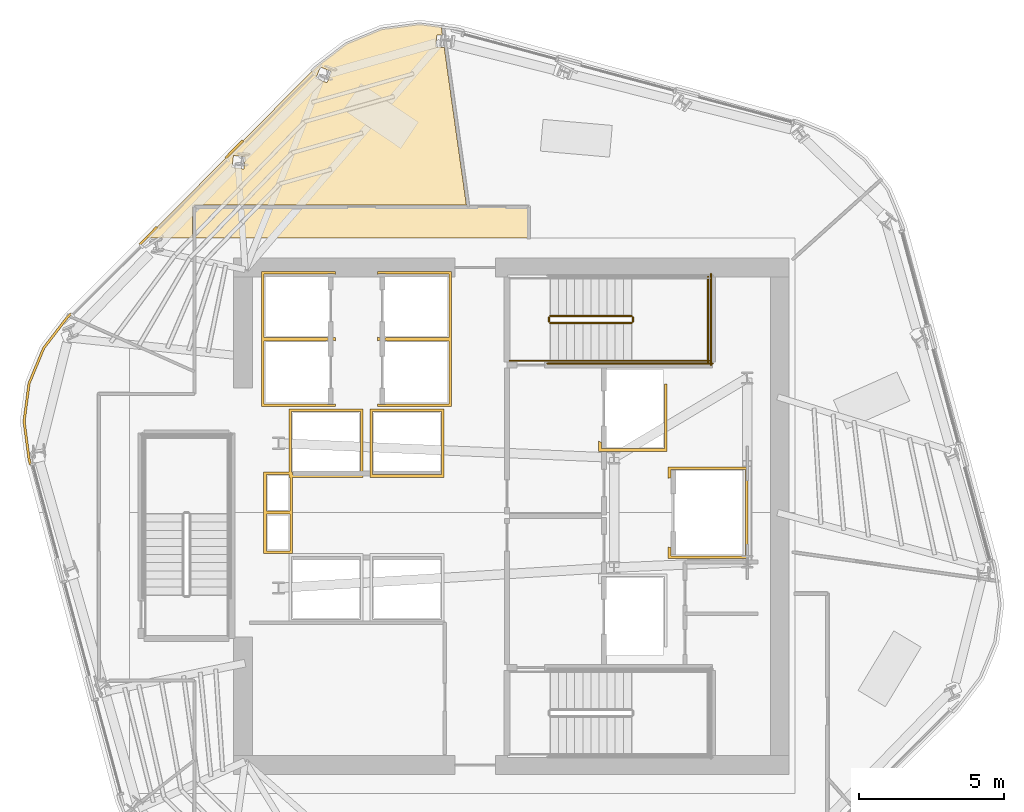
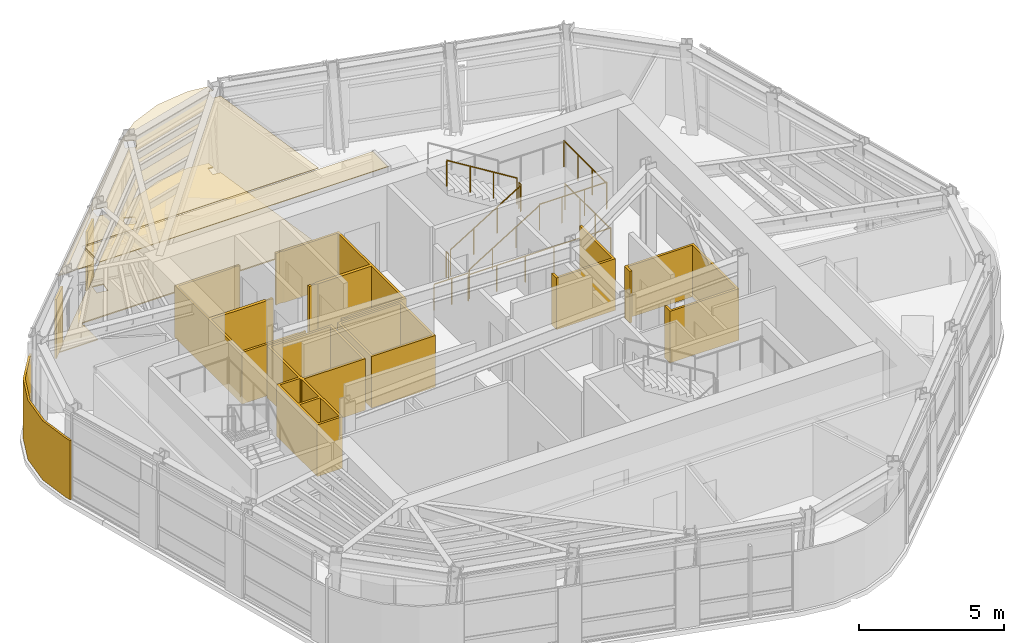
# One storey, part 11 of 13: 12 coverings, 10 railings.
"""IFC4 building model written with IfcOpenShell, lengths in metres."""

from ifc_helpers import new_model, si_unit, direction, frame, origin, origin_2d, place, context, subcontext, project, spatial, polyline, circle, outline, extrude, material, layer, layer_set, type_object, element, save


model = new_model("IFC4")

# Units and contexts
model_context = context("Model", 3, precision=1e-05, world=origin(), true_north=direction((0.0, 1.0)))
body_context = subcontext(model_context, "Body", "Model", "MODEL_VIEW")
ifc_project = project(units=[si_unit("LENGTHUNIT", "METRE"), si_unit("AREAUNIT", "SQUARE_METRE"), si_unit("VOLUMEUNIT", "CUBIC_METRE"), si_unit("PLANEANGLEUNIT", "RADIAN"), si_unit("MASSUNIT", "GRAM", prefix="KILO")], contexts=[model_context])

# Site, building, storey
site_placement = place(None, origin())
site = spatial("IfcSite", under=ifc_project, at=site_placement, CompositionType="ELEMENT")
building_placement = place(site_placement, origin())
building = spatial("IfcBuilding", under=site, at=building_placement, Name="Valkerne Bourse Tower", CompositionType="ELEMENT")
storey_placement = place(building_placement, frame((0.0, 0.0, 217.0)))
storey = spatial("IfcBuildingStorey", under=building, at=storey_placement, Name="L55", CompositionType="ELEMENT", Elevation=217.0)

# Coverings
ifc_material_1 = material(Name="Mineral Fiber Acoustic Ceiling Tile", Category="acoustic")
ifc_layer_1 = layer(ifc_material_1, 0.02490234375)
ifc_layer_set_1 = layer_set([ifc_layer_1], Name="Mineral Fiber Acoustic Ceiling Tile")
covering_type_1 = type_object("IfcCoveringType", Name="COV-CEIL-ACT", PredefinedType="CEILING", material=ifc_layer_set_1)
covering_1_placement = place(storey_placement, frame((0.0, 0.0, 3.25)))
element("IfcCovering", 1, at=covering_1_placement, inside=storey, type_object=covering_type_1, Name="L55 Suspended Ceiling 09", PredefinedType="CEILING", context=body_context, shape_type="SweptSolid", body=[
    extrude(outline(polyline([(42.3232421875, 43.70751953125), (43.631591796875, 43.8798828125), (44.382080078125, 43.781005859375), (44.422607421875, 43.491455078125), (44.231689453125, 43.514892578125), (44.229248046875, 43.514404296875), (44.179443359375, 43.105712890625), (44.482177734375, 43.068603515625), (45.24658203125, 37.62890625), (35.849609375, 37.62890625), (35.81494140625, 37.61962890625), (35.790283203125, 37.59521484375), (35.781005859375, 37.560546875), (35.781005859375, 36.5), (34.195068359375, 36.5), (40.0498046875, 42.393798828125), (41.10400390625, 43.20263671875), (42.3232421875, 43.70751953125)]), holes=[polyline([(37.555908203125, 38.87841796875), (37.609130859375, 39.2890625), (37.201171875, 39.3427734375), (37.199462890625, 39.34130859375), (37.146240234375, 38.930908203125), (37.55419921875, 38.877197265625), (37.555908203125, 38.87841796875)]), polyline([(40.42919921875, 41.859130859375), (40.584716796875, 42.24267578125), (40.203857421875, 42.398193359375), (40.20166015625, 42.397216796875), (40.046142578125, 42.013671875), (40.427001953125, 41.858154296875), (40.42919921875, 41.859130859375)])]), origin(), (0.0, 0.0, 1.0), 0.02490234375),
])
ifc_material_2 = material(Name="Bronze Anodised Aluminium AA 6063-T6", Category="aluminium")
ifc_layer_2 = layer(ifc_material_2, 0.030029296875)
ifc_layer_set_2 = layer_set([ifc_layer_2], Name="Bronze Anodised Aluminium AA 6063-T6")
covering_type_2 = type_object("IfcCoveringType", Name="COV-CEIL-METAL", PredefinedType="CEILING", material=ifc_layer_set_2)
covering_2_placement = place(storey_placement, frame((0.0, 0.0, 3.25)))
element("IfcCovering", 2, at=covering_2_placement, inside=storey, type_object=covering_type_2, Name="L55 Suspended Ceiling 03", PredefinedType="CEILING", context=body_context, shape_type="SweptSolid", body=[
    extrude(outline(polyline([(35.85400390625, 37.555908203125), (47.39599609375, 37.555908203125), (47.39599609375, 36.5), (35.85400390625, 36.5), (35.85400390625, 37.555908203125)])), origin(), (0.0, 0.0, 1.0), 0.02490234375),
])
ifc_layer_3 = layer(ifc_material_2, 0.06005859375)
ifc_layer_set_3 = layer_set([ifc_layer_3], Name="Bronze Anodised Aluminium AA 6063-T6")
covering_type_3 = type_object("IfcCoveringType", Name="COV-CRN-ALUM", PredefinedType="CLADDING", material=ifc_layer_set_3)
covering_3_placement = place(storey_placement, origin())
element("IfcCovering", 3, at=covering_3_placement, inside=storey, type_object=covering_type_3, Name="L55 Wind-Shaped Corner Aluminium Cladding 10", PredefinedType="CLADDING", context=body_context, shape_type="SweptSolid", body=[
    extrude(outline(polyline([(30.095458984375, 28.830078125), (29.9208984375, 30.156494140625), (30.094482421875, 31.476318359375), (30.60400390625, 32.7060546875), (31.41845703125, 33.767578125), (31.554443359375, 33.904541015625), (31.611083984375, 33.847900390625), (31.478759765625, 33.714599609375), (30.673828125, 32.66552734375), (30.172607421875, 31.455322265625), (30.001708984375, 30.156494140625), (30.17431640625, 28.845458984375), (30.22216796875, 28.6640625), (30.14501953125, 28.643310546875), (30.095458984375, 28.830078125)])), origin(), (0.0, 0.0, 1.0), 2.5),
])
covering_4_placement = place(storey_placement, origin())
element("IfcCovering", 4, at=covering_4_placement, inside=storey, type_object=covering_type_3, Name="L55 Wind-Shaped Corner Aluminium Cladding 11", PredefinedType="CLADDING", context=body_context, shape_type="SweptSolid", body=[
    extrude(outline(polyline([(34.52294921875, 36.892578125), (34.57958984375, 36.836181640625), (33.987548828125, 36.239990234375), (33.930908203125, 36.296630859375), (34.52294921875, 36.892578125)])), origin(), (0.0, 0.0, 1.0), 2.5),
])
covering_5_placement = place(storey_placement, origin())
element("IfcCovering", 5, at=covering_5_placement, inside=storey, type_object=covering_type_3, Name="L55 Wind-Shaped Corner Aluminium Cladding 12", PredefinedType="CLADDING", context=body_context, shape_type="SweptSolid", body=[
    extrude(outline(polyline([(37.491455078125, 39.880859375), (37.548095703125, 39.82421875), (36.9560546875, 39.228271484375), (36.8994140625, 39.284912109375), (37.491455078125, 39.880859375)])), origin(), (0.0, 0.0, 1.0), 2.5),
])
ifc_material_3 = material(Name="Galvanised Painted Steel", Category="steel")
ifc_layer_4 = layer(ifc_material_3, 0.044921875)
ifc_layer_set_4 = layer_set([ifc_layer_4], Name="Galvanised Painted Steel")
covering_type_4 = type_object("IfcCoveringType", Name="COV-FLR-RAF", PredefinedType="FLOORING", material=ifc_layer_set_4)
covering_6_placement = place(storey_placement, origin())
element("IfcCovering", 6, at=covering_6_placement, inside=storey, type_object=covering_type_4, Name="L55 Floor Finish 09", PredefinedType="FLOORING", context=body_context, shape_type="SweptSolid", body=[
    extrude(outline(polyline([(42.3232421875, 43.70751953125), (43.631591796875, 43.8798828125), (44.382080078125, 43.781005859375), (44.422607421875, 43.491455078125), (44.231689453125, 43.514892578125), (44.229248046875, 43.514404296875), (44.179443359375, 43.105712890625), (44.482177734375, 43.068603515625), (45.24658203125, 37.62890625), (35.849609375, 37.62890625), (35.81494140625, 37.61962890625), (35.790283203125, 37.59521484375), (35.781005859375, 37.560546875), (35.781005859375, 36.5), (34.195068359375, 36.5), (40.0498046875, 42.393798828125), (41.10400390625, 43.20263671875), (42.3232421875, 43.70751953125)]), holes=[polyline([(37.555908203125, 38.87841796875), (37.609130859375, 39.2890625), (37.201171875, 39.3427734375), (37.199462890625, 39.34130859375), (37.146240234375, 38.930908203125), (37.55419921875, 38.877197265625), (37.555908203125, 38.87841796875)]), polyline([(40.42919921875, 41.859130859375), (40.584716796875, 42.24267578125), (40.203857421875, 42.398193359375), (40.20166015625, 42.397216796875), (40.046142578125, 42.013671875), (40.427001953125, 41.858154296875), (40.42919921875, 41.859130859375)])]), origin(), (0.0, 0.0, 1.0), 0.044921875),
])
ifc_material_4 = material(Name="Gypsum Shaftwall Liner Board", Category="gypsum")
ifc_layer_5 = layer(ifc_material_4, 0.080078125)
ifc_layer_set_5 = layer_set([ifc_layer_5], Name="Gypsum Shaftwall Liner Board")
covering_type_5 = type_object("IfcCoveringType", Name="COV-SHF-CLAD", PredefinedType="CLADDING", material=ifc_layer_set_5)
covering_7_placement = place(storey_placement, origin())
element("IfcCovering", 7, at=covering_7_placement, inside=storey, type_object=covering_type_5, Name="L55 Hoistway & Riser Shaftwall Liner 03", PredefinedType="CLADDING", context=body_context, shape_type="SweptSolid", body=[
    extrude(outline(polyline([(38.239990234375, 28.409912109375), (39.1201171875, 28.409912109375), (39.1201171875, 30.580078125), (41.679931640625, 30.580078125), (41.679931640625, 28.219970703125), (39.239990234375, 28.219970703125), (39.239990234375, 27.0400390625), (39.239990234375, 26.9599609375), (39.239990234375, 25.590087890625), (38.239990234375, 25.590087890625), (38.239990234375, 26.9599609375), (38.239990234375, 27.0400390625), (38.239990234375, 28.409912109375)]), holes=[polyline([(38.330078125, 26.949951171875), (38.330078125, 25.679931640625), (39.14990234375, 25.679931640625), (39.14990234375, 26.949951171875), (38.330078125, 26.949951171875)]), polyline([(39.2099609375, 30.489990234375), (39.2099609375, 28.409912109375), (39.239990234375, 28.409912109375), (39.239990234375, 28.31005859375), (41.590087890625, 28.31005859375), (41.590087890625, 30.489990234375), (39.2099609375, 30.489990234375)]), polyline([(38.330078125, 27.050048828125), (39.14990234375, 27.050048828125), (39.14990234375, 28.219970703125), (39.1201171875, 28.219970703125), (39.1201171875, 28.320068359375), (38.330078125, 28.320068359375), (38.330078125, 27.050048828125)])]), origin(), (0.0, 0.0, 1.0), 2.179931640625),
])
covering_8_placement = place(storey_placement, origin())
element("IfcCovering", 8, at=covering_8_placement, inside=storey, type_object=covering_type_5, Name="L55 Hoistway & Riser Shaftwall Liner 04", PredefinedType="CLADDING", context=body_context, shape_type="SweptSolid", body=[
    extrude(outline(polyline([(38.169921875, 35.330078125), (40.72998046875, 35.330078125), (40.72998046875, 35.232177734375), (40.72216796875, 35.235595703125), (40.6806640625, 35.25048828125), (40.6376953125, 35.261474609375), (40.593994140625, 35.267822265625), (40.550048828125, 35.27001953125), (40.505859375, 35.267822265625), (40.462158203125, 35.261474609375), (40.41943359375, 35.25048828125), (40.3896484375, 35.239990234375), (38.260009765625, 35.239990234375), (38.260009765625, 33.06005859375), (40.3896484375, 33.06005859375), (40.41943359375, 33.04931640625), (40.462158203125, 33.03857421875), (40.505859375, 33.0322265625), (40.550048828125, 33.030029296875), (40.593994140625, 33.0322265625), (40.6376953125, 33.03857421875), (40.6806640625, 33.04931640625), (40.72216796875, 33.064208984375), (40.72998046875, 33.06787109375), (40.72998046875, 33.030029296875), (40.72998046875, 32.969970703125), (40.72998046875, 32.93212890625), (40.72216796875, 32.935791015625), (40.6806640625, 32.95068359375), (40.6376953125, 32.96142578125), (40.593994140625, 32.9677734375), (40.550048828125, 32.969970703125), (40.505859375, 32.9677734375), (40.462158203125, 32.96142578125), (40.41943359375, 32.95068359375), (40.3896484375, 32.93994140625), (38.260009765625, 32.93994140625), (38.260009765625, 30.760009765625), (40.3896484375, 30.760009765625), (40.41943359375, 30.74951171875), (40.462158203125, 30.738525390625), (40.505859375, 30.732177734375), (40.550048828125, 30.72998046875), (40.593994140625, 30.732177734375), (40.6376953125, 30.738525390625), (40.6806640625, 30.74951171875), (40.72216796875, 30.764404296875), (40.72998046875, 30.767822265625), (40.72998046875, 30.669921875), (38.169921875, 30.669921875), (38.169921875, 32.969970703125), (38.169921875, 33.030029296875), (38.169921875, 35.330078125)])), origin(), (0.0, 0.0, 1.0), 2.179931640625),
])
covering_9_placement = place(storey_placement, origin())
element("IfcCovering", 9, at=covering_9_placement, inside=storey, type_object=covering_type_5, Name="L55 Hoistway & Riser Shaftwall Liner 06", PredefinedType="CLADDING", context=body_context, shape_type="SweptSolid", body=[
    extrude(outline(polyline([(54.97998046875, 25.419921875), (52.219970703125, 25.419921875), (52.219970703125, 25.81787109375), (52.227783203125, 25.814208984375), (52.269287109375, 25.79931640625), (52.31005859375, 25.789306640625), (52.31005859375, 25.510009765625), (54.889892578125, 25.510009765625), (54.889892578125, 28.489990234375), (52.31005859375, 28.489990234375), (52.31005859375, 28.210693359375), (52.269287109375, 28.20068359375), (52.227783203125, 28.185791015625), (52.219970703125, 28.18212890625), (52.219970703125, 28.580078125), (54.97998046875, 28.580078125), (54.97998046875, 25.419921875)])), origin(), (0.0, 0.0, 1.0), 2.179931640625),
])
covering_10_placement = place(storey_placement, origin())
element("IfcCovering", 10, at=covering_10_placement, inside=storey, type_object=covering_type_5, Name="L55 Hoistway & Riser Shaftwall Liner 07", PredefinedType="CLADDING", context=body_context, shape_type="SweptSolid", body=[
    extrude(outline(polyline([(44.47998046875, 28.219970703125), (41.919921875, 28.219970703125), (41.919921875, 30.580078125), (44.47998046875, 30.580078125), (44.47998046875, 28.219970703125)]), holes=[polyline([(42.010009765625, 30.489990234375), (42.010009765625, 28.31005859375), (44.389892578125, 28.31005859375), (44.389892578125, 30.489990234375), (42.010009765625, 30.489990234375)])]), origin(), (0.0, 0.0, 1.0), 2.179931640625),
])
covering_11_placement = place(storey_placement, origin())
element("IfcCovering", 11, at=covering_11_placement, inside=storey, type_object=covering_type_5, Name="L55 Hoistway & Riser Shaftwall Liner 08", PredefinedType="CLADDING", context=body_context, shape_type="SweptSolid", body=[
    extrude(outline(polyline([(49.820068359375, 29.1201171875), (49.820068359375, 29.468017578125), (49.827880859375, 29.46435546875), (49.869384765625, 29.449462890625), (49.909912109375, 29.439208984375), (49.909912109375, 29.2099609375), (52.090087890625, 29.2099609375), (52.090087890625, 31.449951171875), (52.179931640625, 31.449951171875), (52.179931640625, 29.1201171875), (49.820068359375, 29.1201171875)])), origin(), (0.0, 0.0, 1.0), 2.179931640625),
])
covering_12_placement = place(storey_placement, origin())
element("IfcCovering", 12, at=covering_12_placement, inside=storey, type_object=covering_type_5, Name="L55 Hoistway & Riser Shaftwall Liner 09", PredefinedType="CLADDING", context=body_context, shape_type="SweptSolid", body=[
    extrude(outline(polyline([(42.169921875, 33.06787109375), (42.177734375, 33.064208984375), (42.219482421875, 33.04931640625), (42.26220703125, 33.03857421875), (42.305908203125, 33.0322265625), (42.35009765625, 33.030029296875), (42.39404296875, 33.0322265625), (42.437744140625, 33.03857421875), (42.480712890625, 33.04931640625), (42.51025390625, 33.06005859375), (44.639892578125, 33.06005859375), (44.639892578125, 35.239990234375), (42.51025390625, 35.239990234375), (42.480712890625, 35.25048828125), (42.437744140625, 35.261474609375), (42.39404296875, 35.267822265625), (42.35009765625, 35.27001953125), (42.305908203125, 35.267822265625), (42.26220703125, 35.261474609375), (42.219482421875, 35.25048828125), (42.177734375, 35.235595703125), (42.169921875, 35.232177734375), (42.169921875, 35.330078125), (44.72998046875, 35.330078125), (44.72998046875, 33.030029296875), (44.72998046875, 32.969970703125), (44.72998046875, 30.669921875), (42.169921875, 30.669921875), (42.169921875, 30.767822265625), (42.177734375, 30.764404296875), (42.219482421875, 30.74951171875), (42.26220703125, 30.738525390625), (42.305908203125, 30.732177734375), (42.35009765625, 30.72998046875), (42.39404296875, 30.732177734375), (42.437744140625, 30.738525390625), (42.480712890625, 30.74951171875), (42.51025390625, 30.760009765625), (44.639892578125, 30.760009765625), (44.639892578125, 32.93994140625), (42.51025390625, 32.93994140625), (42.480712890625, 32.95068359375), (42.437744140625, 32.96142578125), (42.39404296875, 32.9677734375), (42.35009765625, 32.969970703125), (42.305908203125, 32.9677734375), (42.26220703125, 32.96142578125), (42.219482421875, 32.95068359375), (42.177734375, 32.935791015625), (42.169921875, 32.93212890625), (42.169921875, 32.969970703125), (42.169921875, 33.030029296875), (42.169921875, 33.06787109375)])), origin(), (0.0, 0.0, 1.0), 2.179931640625),
])

# Railings
railing_type_1 = type_object("IfcRailingType", Name="RLG-ST-GUARD-1120", PredefinedType="GUARDRAIL", material=ifc_material_3)
railing_1_placement = place(storey_placement, frame((48.14990234375, 33.550048828125, 0.172607421875)))
element("IfcRailing", 13, at=railing_1_placement, inside=storey, type_object=railing_type_1, Name="L55 ST-2 stair guard 1", PredefinedType="GUARDRAIL", context=body_context, shape_type="SweptSolid", body=[
    extrude(circle(Radius=0.02392578125, at=origin_2d()), frame((0.0, 0.0, 1.09619140625), z_axis=(0.851089632645, 0.0, 0.525020415988), x_axis=(0.0, 1.0, 0.0)), (0.0, 0.0, 1.0), 3.2900390625),
    extrude(circle(Radius=0.02099609375, at=origin_2d()), origin(), (0.0, 0.0, 1.0), 1.072021484375),
    extrude(circle(Radius=0.02099609375, at=origin_2d()), frame((0.933349609375, 0.0, 0.57568359375)), (0.0, 0.0, 1.0), 1.072021484375),
    extrude(circle(Radius=0.02099609375, at=origin_2d()), frame((1.86669921875, 0.0, 1.151611328125)), (0.0, 0.0, 1.0), 1.072021484375),
    extrude(circle(Radius=0.02099609375, at=origin_2d()), frame((2.800048828125, 0.0, 1.727294921875)), (0.0, 0.0, 1.0), 1.072021484375),
])
railing_2_placement = place(storey_placement, frame((51.0, 33.60009765625, 1.89990234375)))
element("IfcRailing", 14, at=railing_2_placement, inside=storey, type_object=railing_type_1, Name="L55 ST-2 stair guard 2", PredefinedType="GUARDRAIL", context=body_context, shape_type="SweptSolid", body=[
    extrude(circle(Radius=0.02392578125, at=origin_2d()), frame((0.0, 0.0, 1.09619140625), z_axis=(0.0, 1.0, 0.0), x_axis=(-1.0, 0.0, 0.0)), (0.0, 0.0, 1.0), 0.14990234375),
    extrude(circle(Radius=0.02099609375, at=origin_2d()), origin(), (0.0, 0.0, 1.0), 1.072021484375),
    extrude(circle(Radius=0.02099609375, at=origin_2d()), frame((0.0, 0.14990234375, 0.0)), (0.0, 0.0, 1.0), 1.072021484375),
])
railing_3_placement = place(storey_placement, frame((50.949951171875, 32.25, 1.89990234375)))
element("IfcRailing", 15, at=railing_3_placement, inside=storey, type_object=railing_type_1, Name="L55 ST-2 stair guard 3", PredefinedType="GUARDRAIL", context=body_context, shape_type="SweptSolid", body=[
    extrude(circle(Radius=0.02392578125, at=origin_2d()), frame((0.0, 0.0, 1.09619140625), z_axis=(1.0, 0.0, 0.0), x_axis=(0.0, 1.0, 0.0)), (0.0, 0.0, 1.0), 2.699951171875),
    extrude(circle(Radius=0.02099609375, at=origin_2d()), origin(), (0.0, 0.0, 1.0), 1.072021484375),
    extrude(circle(Radius=0.02099609375, at=origin_2d()), frame((0.89990234375, 0.0, 0.0)), (0.0, 0.0, 1.0), 1.072021484375),
    extrude(circle(Radius=0.02099609375, at=origin_2d()), frame((1.800048828125, 0.0, 0.0)), (0.0, 0.0, 1.0), 1.072021484375),
    extrude(circle(Radius=0.02099609375, at=origin_2d()), frame((2.699951171875, 0.0, 0.0)), (0.0, 0.0, 1.0), 1.072021484375),
])
railing_4_placement = place(storey_placement, frame((53.60009765625, 32.199951171875, 1.89990234375)))
element("IfcRailing", 16, at=railing_4_placement, inside=storey, type_object=railing_type_1, Name="L55 ST-2 stair guard 5", PredefinedType="GUARDRAIL", context=body_context, shape_type="SweptSolid", body=[
    extrude(circle(Radius=0.02392578125, at=origin_2d()), frame((0.0, 0.0, 1.09619140625), z_axis=(0.0, 1.0, 0.0), x_axis=(-1.0, 0.0, 0.0)), (0.0, 0.0, 1.0), 2.949951171875),
    extrude(circle(Radius=0.02099609375, at=origin_2d()), origin(), (0.0, 0.0, 1.0), 1.072021484375),
    extrude(circle(Radius=0.02099609375, at=origin_2d()), frame((0.0, 0.9833984375, 0.0)), (0.0, 0.0, 1.0), 1.072021484375),
    extrude(circle(Radius=0.02099609375, at=origin_2d()), frame((0.0, 1.966552734375, 0.0)), (0.0, 0.0, 1.0), 1.072021484375),
    extrude(circle(Radius=0.02099609375, at=origin_2d()), frame((0.0, 2.949951171875, 0.0)), (0.0, 0.0, 1.0), 1.072021484375),
])
railing_5_placement = place(storey_placement, frame((50.949951171875, 33.800048828125, 2.07275390625)))
element("IfcRailing", 17, at=railing_5_placement, inside=storey, type_object=railing_type_1, Name="L55 ST-2 stair guard 6", PredefinedType="GUARDRAIL", context=body_context, shape_type="SweptSolid", body=[
    extrude(circle(Radius=0.02392578125, at=origin_2d()), frame((0.0, 0.0, 1.09619140625), z_axis=(-0.851089632645, 0.0, 0.525020415988), x_axis=(0.0, -1.0, 0.0)), (0.0, 0.0, 1.0), 3.2900390625),
    extrude(circle(Radius=0.02099609375, at=origin_2d()), origin(), (0.0, 0.0, 1.0), 1.072021484375),
    extrude(circle(Radius=0.02099609375, at=origin_2d()), frame((-0.933349609375, 0.0, 0.57568359375)), (0.0, 0.0, 1.0), 1.072021484375),
    extrude(circle(Radius=0.02099609375, at=origin_2d()), frame((-1.86669921875, 0.0, 1.151611328125)), (0.0, 0.0, 1.0), 1.072021484375),
    extrude(circle(Radius=0.02099609375, at=origin_2d()), frame((-2.800048828125, 0.0, 1.727294921875)), (0.0, 0.0, 1.0), 1.072021484375),
])
railing_6_placement = place(storey_placement, frame((48.10009765625, 33.60009765625, 0.0)))
element("IfcRailing", 18, at=railing_6_placement, inside=storey, type_object=railing_type_1, Name="L55 ST-2 stair guard 7", PredefinedType="GUARDRAIL", context=body_context, shape_type="SweptSolid", body=[
    extrude(circle(Radius=0.02392578125, at=origin_2d()), frame((0.0, 0.0, 1.09619140625), z_axis=(0.0, 1.0, 0.0), x_axis=(-1.0, 0.0, 0.0)), (0.0, 0.0, 1.0), 0.14990234375),
    extrude(circle(Radius=0.02099609375, at=origin_2d()), origin(), (0.0, 0.0, 1.0), 1.072021484375),
    extrude(circle(Radius=0.02099609375, at=origin_2d()), frame((0.0, 0.14990234375, 0.0)), (0.0, 0.0, 1.0), 1.072021484375),
])
railing_7_placement = place(storey_placement, frame((46.75, 32.25, 0.0)))
element("IfcRailing", 19, at=railing_7_placement, inside=storey, type_object=railing_type_1, Name="L55 ST-2 stair guard 8", PredefinedType="GUARDRAIL", context=body_context, shape_type="SweptSolid", body=[
    extrude(circle(Radius=0.02392578125, at=origin_2d()), frame((0.0, 0.0, 1.09619140625), z_axis=(1.0, 0.0, 0.0), x_axis=(0.0, 1.0, 0.0)), (0.0, 0.0, 1.0), 1.39990234375),
    extrude(circle(Radius=0.02099609375, at=origin_2d()), origin(), (0.0, 0.0, 1.0), 1.072021484375),
    extrude(circle(Radius=0.02099609375, at=origin_2d()), frame((0.699951171875, 0.0, 0.0)), (0.0, 0.0, 1.0), 1.072021484375),
    extrude(circle(Radius=0.02099609375, at=origin_2d()), frame((1.39990234375, 0.0, 0.0)), (0.0, 0.0, 1.0), 1.072021484375),
])
railing_8_placement = place(storey_placement, frame((48.050048828125, 32.14990234375, 0.0)))
element("IfcRailing", 20, at=railing_8_placement, inside=storey, type_object=railing_type_1, Name="L55 ST-2 stair guard 10", PredefinedType="GUARDRAIL", context=body_context, shape_type="SweptSolid", body=[
    extrude(circle(Radius=0.02392578125, at=origin_2d()), frame((0.0, 0.0, 1.09619140625), z_axis=(1.0, 0.0, 0.0), x_axis=(0.0, 1.0, 0.0)), (0.0, 0.0, 1.0), 5.699951171875),
    extrude(circle(Radius=0.02099609375, at=origin_2d()), origin(), (0.0, 0.0, 1.0), 1.072021484375),
    extrude(circle(Radius=0.02099609375, at=origin_2d()), frame((1.139892578125, 0.0, 0.0)), (0.0, 0.0, 1.0), 1.072021484375),
    extrude(circle(Radius=0.02099609375, at=origin_2d()), frame((2.280029296875, 0.0, 0.0)), (0.0, 0.0, 1.0), 1.072021484375),
    extrude(circle(Radius=0.02099609375, at=origin_2d()), frame((3.419921875, 0.0, 0.0)), (0.0, 0.0, 1.0), 1.072021484375),
    extrude(circle(Radius=0.02099609375, at=origin_2d()), frame((4.56005859375, 0.0, 0.0)), (0.0, 0.0, 1.0), 1.072021484375),
    extrude(circle(Radius=0.02099609375, at=origin_2d()), frame((5.699951171875, 0.0, 0.0)), (0.0, 0.0, 1.0), 1.072021484375),
])
railing_9_placement = place(storey_placement, frame((53.699951171875, 32.10009765625, 0.0)))
element("IfcRailing", 21, at=railing_9_placement, inside=storey, type_object=railing_type_1, Name="L55 ST-2 stair guard 12", PredefinedType="GUARDRAIL", context=body_context, shape_type="SweptSolid", body=[
    extrude(circle(Radius=0.02392578125, at=origin_2d()), frame((0.0, 0.0, 1.09619140625), z_axis=(0.0, 1.0, 0.0), x_axis=(-1.0, 0.0, 0.0)), (0.0, 0.0, 1.0), 3.14990234375),
    extrude(circle(Radius=0.02099609375, at=origin_2d()), origin(), (0.0, 0.0, 1.0), 1.072021484375),
    extrude(circle(Radius=0.02099609375, at=origin_2d()), frame((0.0, 1.050048828125, 0.0)), (0.0, 0.0, 1.0), 1.072021484375),
    extrude(circle(Radius=0.02099609375, at=origin_2d()), frame((0.0, 2.099853515625, 0.0)), (0.0, 0.0, 1.0), 1.072021484375),
    extrude(circle(Radius=0.02099609375, at=origin_2d()), frame((0.0, 3.14990234375, 0.0)), (0.0, 0.0, 1.0), 1.072021484375),
])
ifc_material_5 = material(Name="Stainless Steel AISI 316", Category="steel")
railing_type_2 = type_object("IfcRailingType", Name="RLG-ST-HANDRAIL-900", PredefinedType="HANDRAIL", material=ifc_material_5)
railing_10_placement = place(storey_placement, frame((48.14990234375, 32.25, 0.345458984375)))
element("IfcRailing", 22, at=railing_10_placement, inside=storey, type_object=railing_type_2, Name="L55 ST-2 stair handrail 1", PredefinedType="HANDRAIL", context=body_context, shape_type="SweptSolid", body=[
    extrude(circle(Radius=0.02392578125, at=origin_2d()), frame((0.0, 0.0, 0.8759765625), z_axis=(0.851089632645, 0.0, 0.525020415988), x_axis=(0.0, 1.0, 0.0)), (0.0, 0.0, 1.0), 3.2900390625),
    extrude(circle(Radius=0.02099609375, at=origin_2d()), origin(), (0.0, 0.0, 1.0), 0.851806640625),
    extrude(circle(Radius=0.02099609375, at=origin_2d()), frame((0.933349609375, 0.0, 0.57568359375)), (0.0, 0.0, 1.0), 0.851806640625),
    extrude(circle(Radius=0.02099609375, at=origin_2d()), frame((1.86669921875, 0.0, 1.151611328125)), (0.0, 0.0, 1.0), 0.851806640625),
    extrude(circle(Radius=0.02099609375, at=origin_2d()), frame((2.800048828125, 0.0, 1.727294921875)), (0.0, 0.0, 1.0), 0.851806640625),
])

save(model, "model.ifc")
